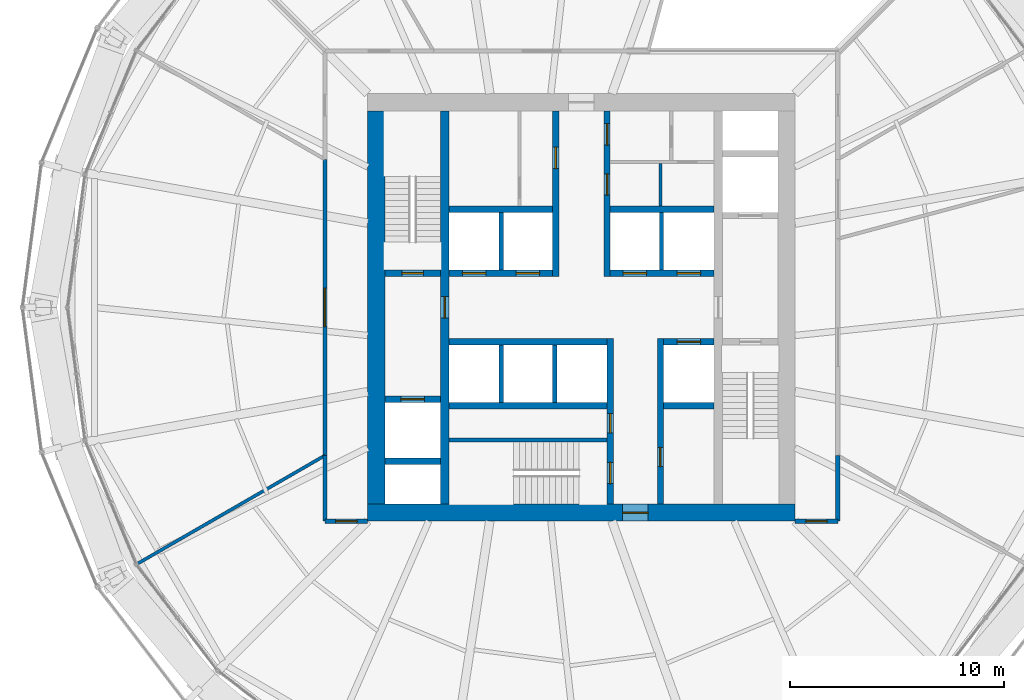
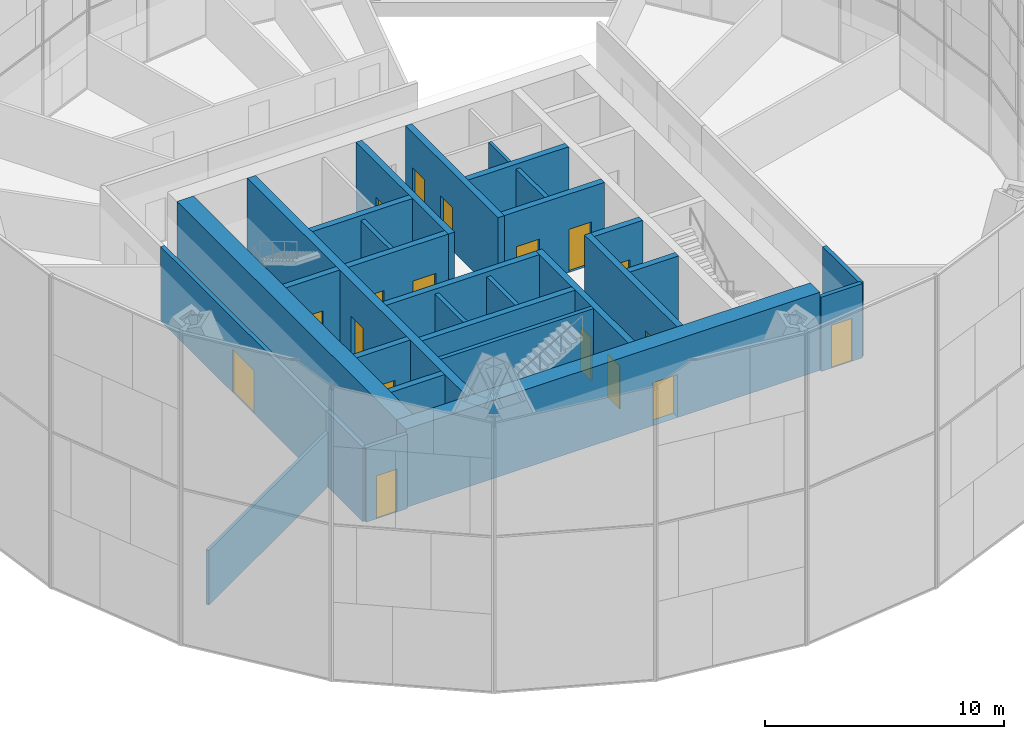
# One storey, part 23 of 26: 30 walls, 18 doors, 18 openings.
"""IFC4 building model written with IfcOpenShell, lengths in metres."""

from ifc_helpers import new_model, si_unit, direction, frame, frame_2d, origin, place, context, subcontext, project, spatial, rectangle, extrude, material, layer, layer_set, type_object, element, fill, save


model = new_model("IFC4")

# Units and contexts
model_context = context("Model", 3, precision=1e-05, world=origin(), true_north=direction((0.0, 1.0)))
body_context = subcontext(model_context, "Body", "Model", "MODEL_VIEW")
ifc_project = project(units=[si_unit("LENGTHUNIT", "METRE"), si_unit("AREAUNIT", "SQUARE_METRE"), si_unit("VOLUMEUNIT", "CUBIC_METRE"), si_unit("PLANEANGLEUNIT", "RADIAN"), si_unit("MASSUNIT", "GRAM", prefix="KILO")], contexts=[model_context])

# Site, building, storey
site_placement = place(None, origin())
site = spatial("IfcSite", under=ifc_project, at=site_placement, CompositionType="ELEMENT")
building_placement = place(site_placement, origin())
building = spatial("IfcBuilding", under=site, at=building_placement, Name="Golbaran Civic Tower", CompositionType="ELEMENT")
storey_placement = place(building_placement, frame((0.0, 0.0, 69.0)))
storey = spatial("IfcBuildingStorey", under=building, at=storey_placement, Name="L16", CompositionType="ELEMENT", Elevation=69.0)

# Wall
ifc_material_1 = material(Name="Concrete block", Category="concrete")
ifc_layer_1 = layer(ifc_material_1, 0.14990234375, Name="Concrete block")
ifc_layer_set_1 = layer_set([ifc_layer_1], Name="Concrete block")
wall_type_1 = type_object("IfcWallType", Name="BLOCKWORK PARTITION 150", PredefinedType="PARTITIONING", material=ifc_layer_set_1)
wall_1_placement = place(storey_placement, frame((3.699951171875, 4.75, 0.0), z_axis=(0.0, 0.0, 1.0), x_axis=(0.0, 1.0, 0.0)))
element("IfcWall", 1, at=wall_1_placement, inside=storey, type_object=wall_type_1, Name="Toilet block partition TN2 L16", PredefinedType="PARTITIONING", context=body_context, shape_type="SweptSolid", body=[
    extrude(rectangle(XDim=1.97509765625, YDim=0.14990234375, at=frame_2d((0.987548828125, 0.0))), origin(), (0.0, 0.0, 1.0), 3.75),
])

# Wall, opening, door
ifc_material_2 = material(Name="Concrete C50/60", Category="concrete")
ifc_layer_2 = layer(ifc_material_2, 0.39990234375, Name="Concrete C50/60")
ifc_layer_set_2 = layer_set([ifc_layer_2], Name="Concrete C50/60")
wall_type_2 = type_object("IfcWallType", Name="CORE WALL CONCRETE 400", PredefinedType="SOLIDWALL", material=ifc_layer_set_2)
wall_2_placement = place(storey_placement, frame((-6.39990234375, -9.199951171875, 0.0), z_axis=(0.0, 0.0, 1.0), x_axis=(0.0, 1.0, 0.0)))
wall_2 = element("IfcWall", 2, at=wall_2_placement, inside=storey, type_object=wall_type_2, Name="Core wall IW L16", PredefinedType="SOLIDWALL", context=body_context, shape_type="SweptSolid", body=[
    extrude(rectangle(XDim=18.39990234375, YDim=0.39990234375, at=frame_2d((9.199951171875, 0.0))), origin(), (0.0, 0.0, 1.0), 4.0),
])
opening_1_placement = place(wall_2_placement, frame((8.699951171875, 0.0, 0.0)))
opening_1 = element("IfcOpeningElement", 3, at=opening_1_placement, cuts=wall_2, Name="Opening L16.FL1", PredefinedType="OPENING", context=body_context, shape_type="SweptSolid", body=[
    extrude(rectangle(XDim=1.0, YDim=2.199951171875, at=frame_2d((0.5, 1.10009765625))), frame((0.0, 0.2099609375, 0.0), z_axis=(0.0, -1.0, 0.0), x_axis=(1.0, 0.0, 0.0)), (0.0, 0.0, 1.0), 0.419921875),
])
ifc_material_3 = material(Name="Timber door set in steel frame", Category="steel")
door_type_1 = type_object("IfcDoorType", Name="STAIR DOOR 1000x2200", OperationType="SINGLE_SWING_LEFT", PredefinedType="DOOR", material=ifc_material_3)
door_1_placement = place(opening_1_placement, origin())
door_1 = element("IfcDoor", 4, at=door_1_placement, inside=storey, type_object=door_type_1, Name="Fire-fighting lobby FL1 door", OperationType="SINGLE_SWING_LEFT", OverallHeight=2.199951171875, OverallWidth=1.0, PredefinedType="DOOR", context=body_context, shape_type="SweptSolid", body=[
    extrude(rectangle(XDim=1.0, YDim=2.199951171875, at=frame_2d((0.5, 1.10009765625))), frame((0.0, 0.02490234375, 0.0), z_axis=(0.0, -1.0, 0.0), x_axis=(1.0, 0.0, 0.0)), (0.0, 0.0, 1.0), 0.050048828125),
])
fill(opening_1, door_1)

ifc_layer_3 = layer(ifc_material_2, 0.800048828125, Name="Concrete C50/60")
ifc_layer_set_3 = layer_set([ifc_layer_3], Name="Concrete C50/60")
wall_type_3 = type_object("IfcWallType", Name="CORE WALL CONCRETE 800", PredefinedType="SOLIDWALL", material=ifc_layer_set_3)
wall_3_placement = place(storey_placement, frame((10.0, -9.60009765625, 0.0), z_axis=(0.0, 0.0, 1.0), x_axis=(-1.0, 0.0, 0.0)))
wall_3 = element("IfcWall", 5, at=wall_3_placement, inside=storey, type_object=wall_type_3, Name="Core wall CS L16", PredefinedType="SOLIDWALL", context=body_context, shape_type="SweptSolid", body=[
    extrude(rectangle(XDim=20.0, YDim=0.800048828125, at=frame_2d((10.0, 0.0))), origin(), (0.0, 0.0, 1.0), 4.0),
])
opening_2_placement = place(wall_3_placement, frame((6.875, 0.0, 0.0)))
opening_2 = element("IfcOpeningElement", 6, at=opening_2_placement, cuts=wall_3, Name="Opening L16.CS", PredefinedType="OPENING", context=body_context, shape_type="SweptSolid", body=[
    extrude(rectangle(XDim=1.199951171875, YDim=2.199951171875, at=frame_2d((0.60009765625, 1.10009765625))), frame((0.0, 0.409912109375, 0.0), z_axis=(0.0, -1.0, 0.0), x_axis=(1.0, 0.0, 0.0)), (0.0, 0.0, 1.0), 0.820068359375),
])
door_type_2 = type_object("IfcDoorType", Name="CORE DOOR 1200x2200", OperationType="DOUBLE_DOOR_SINGLE_SWING", PredefinedType="DOOR", material=ifc_material_3)
door_2_placement = place(opening_2_placement, origin())
door_2 = element("IfcDoor", 7, at=door_2_placement, inside=storey, type_object=door_type_2, Name="Core door south", OperationType="DOUBLE_DOOR_SINGLE_SWING", OverallHeight=2.199951171875, OverallWidth=1.199951171875, PredefinedType="DOOR", context=body_context, shape_type="SweptSolid", body=[
    extrude(rectangle(XDim=1.199951171875, YDim=2.199951171875, at=frame_2d((0.60009765625, 1.10009765625))), frame((0.0, 0.02490234375, 0.0), z_axis=(0.0, -1.0, 0.0), x_axis=(1.0, 0.0, 0.0)), (0.0, 0.0, 1.0), 0.050048828125),
])
fill(opening_2, door_2)

# Wall
wall_4_placement = place(storey_placement, frame((-9.60009765625, 9.199951171875, 0.0), z_axis=(0.0, 0.0, 1.0), x_axis=(0.0, -1.0, 0.0)))
element("IfcWall", 8, at=wall_4_placement, inside=storey, type_object=wall_type_3, Name="Core wall CW L16", PredefinedType="SOLIDWALL", context=body_context, shape_type="SweptSolid", body=[
    extrude(rectangle(XDim=18.39990234375, YDim=0.800048828125, at=frame_2d((9.199951171875, 0.0))), origin(), (0.0, 0.0, 1.0), 4.0),
])

# Wall, opening, door
ifc_material_4 = material(Name="Gypsum board on steel studs, fire-rated", Category="steel")
ifc_layer_4 = layer(ifc_material_4, 0.199951171875, Name="Gypsum board on steel studs, fire-rated")
ifc_layer_set_4 = layer_set([ifc_layer_4], Name="Gypsum board on steel studs, fire-rated")
wall_type_4 = type_object("IfcWallType", Name="CORRIDOR WALL 200", PredefinedType="PARTITIONING", material=ifc_layer_set_4)
wall_5_placement = place(storey_placement, frame((-12.0, 6.92822265625, 0.0), z_axis=(0.0, 0.0, 1.0), x_axis=(0.0, -1.0, 0.0)))
wall_5 = element("IfcWall", 9, at=wall_5_placement, inside=storey, type_object=wall_type_4, Name="Corridor wall L16", PredefinedType="PARTITIONING", context=body_context, shape_type="SweptSolid", body=[
    extrude(rectangle(XDim=13.8564453125, YDim=0.199951171875, at=frame_2d((6.92822265625, 0.0))), origin(), (0.0, 0.0, 1.0), 3.800048828125),
])
opening_3_placement = place(wall_5_placement, frame((6.0283203125, 0.0, 0.0)))
opening_3 = element("IfcOpeningElement", 10, at=opening_3_placement, cuts=wall_5, Name="Opening L16.12", PredefinedType="OPENING", context=body_context, shape_type="SweptSolid", body=[
    extrude(rectangle(XDim=1.800048828125, YDim=2.199951171875, at=frame_2d((0.89990234375, 1.10009765625))), frame((0.0, 0.10986328125, 0.0), z_axis=(0.0, -1.0, 0.0), x_axis=(1.0, 0.0, 0.0)), (0.0, 0.0, 1.0), 0.219970703125),
])
door_type_3 = type_object("IfcDoorType", Name="OFFICE DOUBLE DOOR 1800x2200", OperationType="DOUBLE_DOOR_SINGLE_SWING", PredefinedType="DOOR", material=ifc_material_3)
door_3_placement = place(opening_3_placement, origin())
door_3 = element("IfcDoor", 11, at=door_3_placement, inside=storey, type_object=door_type_3, Name="Open Office door L16", OperationType="DOUBLE_DOOR_SINGLE_SWING", OverallHeight=2.199951171875, OverallWidth=1.800048828125, PredefinedType="DOOR", context=body_context, shape_type="SweptSolid", body=[
    extrude(rectangle(XDim=1.800048828125, YDim=2.199951171875, at=frame_2d((0.89990234375, 1.10009765625))), frame((0.0, 0.02490234375, 0.0), z_axis=(0.0, -1.0, 0.0), x_axis=(1.0, 0.0, 0.0)), (0.0, 0.0, 1.0), 0.050048828125),
])
fill(opening_3, door_3)

# Walls
for number, where, z_axis, x_axis, name in (
    (12, (-12.0, -6.92822265625, 0.0), (0.0, 0.0, 1.0), (0.0, -1.0, 0.0), "Corridor wall L16"),
    (13, (12.0, -10.0, 0.0), (0.0, 0.0, 1.0), (0.0, 1.0, 0.0), "Corridor wall L16"),
):
    element("IfcWall", number, at=place(storey_placement, frame(where, z_axis=z_axis, x_axis=x_axis)), inside=storey, type_object=wall_type_4, Name=name, PredefinedType="PARTITIONING", context=body_context, shape_type="SweptSolid", body=[
        extrude(rectangle(XDim=3.07177734375, YDim=0.199951171875, at=frame_2d((1.535888671875, 0.0))), origin(), (0.0, 0.0, 1.0), 3.800048828125),
    ])

# Wall, opening, door
wall_6_placement = place(storey_placement, frame((10.0, -10.0, 0.0), z_axis=(0.0, 0.0, 1.0), x_axis=(1.0, 0.0, 0.0)))
wall_6 = element("IfcWall", 14, at=wall_6_placement, inside=storey, type_object=wall_type_4, Name="Corridor end wall L16", PredefinedType="PARTITIONING", context=body_context, shape_type="SweptSolid", body=[
    extrude(rectangle(XDim=2.0, YDim=0.199951171875, at=frame_2d((1.0, 0.0))), origin(), (0.0, 0.0, 1.0), 3.800048828125),
])
opening_4_placement = place(wall_6_placement, frame((0.5, 0.0, 0.0)))
opening_4 = element("IfcOpeningElement", 15, at=opening_4_placement, cuts=wall_6, Name="Opening L16.14", PredefinedType="OPENING", context=body_context, shape_type="SweptSolid", body=[
    extrude(rectangle(XDim=1.0, YDim=2.199951171875, at=frame_2d((0.5, 1.10009765625))), frame((0.0, 0.10986328125, 0.0), z_axis=(0.0, -1.0, 0.0), x_axis=(1.0, 0.0, 0.0)), (0.0, 0.0, 1.0), 0.219970703125),
])
door_type_4 = type_object("IfcDoorType", Name="OFFICE DOOR 1000x2200", OperationType="SINGLE_SWING_LEFT", PredefinedType="DOOR", material=ifc_material_3)
door_4_placement = place(opening_4_placement, origin())
door_4 = element("IfcDoor", 16, at=door_4_placement, inside=storey, type_object=door_type_4, Name="Open Office door L16", OperationType="SINGLE_SWING_LEFT", OverallHeight=2.199951171875, OverallWidth=1.0, PredefinedType="DOOR", context=body_context, shape_type="SweptSolid", body=[
    extrude(rectangle(XDim=1.0, YDim=2.199951171875, at=frame_2d((0.5, 1.10009765625))), frame((0.0, 0.02490234375, 0.0), z_axis=(0.0, -1.0, 0.0), x_axis=(1.0, 0.0, 0.0)), (0.0, 0.0, 1.0), 0.050048828125),
])
fill(opening_4, door_4)

wall_7_placement = place(storey_placement, frame((-10.0, -10.0, 0.0), z_axis=(0.0, 0.0, 1.0), x_axis=(-1.0, 0.0, 0.0)))
wall_7 = element("IfcWall", 17, at=wall_7_placement, inside=storey, type_object=wall_type_4, Name="Corridor end wall L16", PredefinedType="PARTITIONING", context=body_context, shape_type="SweptSolid", body=[
    extrude(rectangle(XDim=2.0, YDim=0.199951171875, at=frame_2d((1.0, 0.0))), origin(), (0.0, 0.0, 1.0), 3.800048828125),
])
opening_5_placement = place(wall_7_placement, frame((0.5, 0.0, 0.0)))
opening_5 = element("IfcOpeningElement", 18, at=opening_5_placement, cuts=wall_7, Name="Opening L16.15", PredefinedType="OPENING", context=body_context, shape_type="SweptSolid", body=[
    extrude(rectangle(XDim=1.0, YDim=2.199951171875, at=frame_2d((0.5, 1.10009765625))), frame((0.0, 0.10986328125, 0.0), z_axis=(0.0, -1.0, 0.0), x_axis=(1.0, 0.0, 0.0)), (0.0, 0.0, 1.0), 0.219970703125),
])
door_5_placement = place(opening_5_placement, origin())
door_5 = element("IfcDoor", 19, at=door_5_placement, inside=storey, type_object=door_type_4, Name="Open Office door L16", OperationType="SINGLE_SWING_RIGHT", OverallHeight=2.199951171875, OverallWidth=1.0, PredefinedType="DOOR", context=body_context, shape_type="SweptSolid", body=[
    extrude(rectangle(XDim=1.0, YDim=2.199951171875, at=frame_2d((0.5, 1.10009765625))), frame((0.0, 0.02490234375, 0.0), z_axis=(0.0, -1.0, 0.0), x_axis=(1.0, 0.0, 0.0)), (0.0, 0.0, 1.0), 0.050048828125),
])
fill(opening_5, door_5)

# Walls
ifc_layer_5 = layer(ifc_material_1, 0.199951171875, Name="Concrete block")
ifc_layer_set_5 = layer_set([ifc_layer_5], Name="Concrete block")
wall_type_5 = type_object("IfcWallType", Name="LIFT SEPARATOR WALL 200", PredefinedType="SOLIDWALL", material=ifc_layer_set_5)
for number, where, z_axis, x_axis, name in (
    (20, (-3.75, 1.75, 0.0), (0.0, 0.0, 1.0), (0.0, 1.0, 0.0), "Core partition SNW L16"),
    (21, (3.75, 1.75, 0.0), (0.0, 0.0, 1.0), (0.0, 1.0, 0.0), "Core partition SNE L16"),
    (22, (-3.75, -1.75, 0.0), (0.0, 0.0, 1.0), (0.0, -1.0, 0.0), "Core partition SSW L16"),
    (23, (-1.25, -1.75, 0.0), (0.0, 0.0, 1.0), (0.0, -1.0, 0.0), "Core partition SSM L16"),
):
    element("IfcWall", number, at=place(storey_placement, frame(where, z_axis=z_axis, x_axis=x_axis)), inside=storey, type_object=wall_type_5, Name=name, PredefinedType="SOLIDWALL", context=body_context, shape_type="SweptSolid", body=[
        extrude(rectangle(XDim=2.699951171875, YDim=0.199951171875, at=frame_2d((1.35009765625, 0.0))), origin(), (0.0, 0.0, 1.0), 3.75),
    ])
ifc_material_5 = material(Name="Gypsum board on steel studs", Category="steel")
ifc_layer_6 = layer(ifc_material_5, 0.14990234375, Name="Gypsum board on steel studs")
ifc_layer_set_6 = layer_set([ifc_layer_6], Name="Gypsum board on steel studs")
wall_type_6 = type_object("IfcWallType", Name="OFFICE PARTITION 150", PredefinedType="PARTITIONING", material=ifc_layer_set_6)
wall_8_placement = place(storey_placement, frame((-12.0, -6.92822265625, 0.0), z_axis=(0.0, 0.0, 1.0), x_axis=(-0.866023860286, -0.500002673408, 0.0)))
element("IfcWall", 24, at=wall_8_placement, inside=storey, type_object=wall_type_6, Name="Partition 210 L16", PredefinedType="PARTITIONING", context=body_context, shape_type="SweptSolid", body=[
    extrude(rectangle(XDim=10.10595703125, YDim=0.14990234375, at=frame_2d((5.052978515625, 0.0))), origin(), (0.0, 0.0, 1.0), 2.7900390625),
])
ifc_layer_7 = layer(ifc_material_2, 0.199951171875, Name="Concrete C50/60")
ifc_layer_set_7 = layer_set([ifc_layer_7], Name="Concrete C50/60")
wall_type_7 = type_object("IfcWallType", Name="SHAFT WALL CONCRETE 200", PredefinedType="SOLIDWALL", material=ifc_layer_set_7)
wall_9_placement = place(storey_placement, frame((-6.199951171875, -6.199951171875, 0.0), z_axis=(0.0, 0.0, 1.0), x_axis=(1.0, 0.0, 0.0)))
element("IfcWall", 25, at=wall_9_placement, inside=storey, type_object=wall_type_7, Name="Core wall S3N L16", PredefinedType="SOLIDWALL", context=body_context, shape_type="SweptSolid", body=[
    extrude(rectangle(XDim=7.39990234375, YDim=0.199951171875, at=frame_2d((3.699951171875, 0.0))), origin(), (0.0, 0.0, 1.0), 4.0),
])

# Wall, openings, doors
ifc_layer_8 = layer(ifc_material_2, 0.300048828125, Name="Concrete C50/60")
ifc_layer_set_8 = layer_set([ifc_layer_8], Name="Concrete C50/60")
wall_type_8 = type_object("IfcWallType", Name="SHAFT WALL CONCRETE 300", PredefinedType="SOLIDWALL", material=ifc_layer_set_8)
wall_10_placement = place(storey_placement, frame((-6.199951171875, 1.60009765625, 0.0), z_axis=(0.0, 0.0, 1.0), x_axis=(1.0, 0.0, 0.0)))
wall_10 = element("IfcWall", 26, at=wall_10_placement, inside=storey, type_object=wall_type_8, Name="Core wall FNW L16", PredefinedType="SOLIDWALL", context=body_context, shape_type="SweptSolid", body=[
    extrude(rectangle(XDim=4.849853515625, YDim=0.300048828125, at=frame_2d((2.4248046875, 0.0))), origin(), (0.0, 0.0, 1.0), 4.0),
])
opening_6_placement = place(wall_10_placement, frame((0.625, 0.0, 0.0)))
opening_6 = element("IfcOpeningElement", 27, at=opening_6_placement, cuts=wall_10, Name="Opening L16.LD-Z1L", PredefinedType="OPENING", context=body_context, shape_type="SweptSolid", body=[
    extrude(rectangle(XDim=1.10009765625, YDim=2.199951171875, at=frame_2d((0.550048828125, 1.10009765625))), frame((0.0, 0.159912109375, 0.0), z_axis=(0.0, -1.0, 0.0), x_axis=(1.0, 0.0, 0.0)), (0.0, 0.0, 1.0), 0.320068359375),
])
opening_7_placement = place(wall_10_placement, frame((3.14990234375, 0.0, 0.0)))
opening_7 = element("IfcOpeningElement", 28, at=opening_7_placement, cuts=wall_10, Name="Opening L16.LD-Z2L", PredefinedType="OPENING", context=body_context, shape_type="SweptSolid", body=[
    extrude(rectangle(XDim=1.10009765625, YDim=2.199951171875, at=frame_2d((0.550048828125, 1.10009765625))), frame((0.0, 0.159912109375, 0.0), z_axis=(0.0, -1.0, 0.0), x_axis=(1.0, 0.0, 0.0)), (0.0, 0.0, 1.0), 0.320068359375),
])
ifc_material_6 = material(Name="Stainless steel", Category="steel")
door_type_5 = type_object("IfcDoorType", Name="LIFT LANDING DOOR 1100x2200", OperationType="SLIDING_TO_LEFT", PredefinedType="DOOR", material=ifc_material_6)
door_6_placement = place(opening_6_placement, origin())
door_6 = element("IfcDoor", 29, at=door_6_placement, inside=storey, type_object=door_type_5, Name="Lift landing door Z1L", OperationType="SLIDING_TO_LEFT", OverallHeight=2.199951171875, OverallWidth=1.10009765625, PredefinedType="DOOR", context=body_context, shape_type="SweptSolid", body=[
    extrude(rectangle(XDim=1.10009765625, YDim=2.199951171875, at=frame_2d((0.550048828125, 1.10009765625))), frame((0.0, 0.02490234375, 0.0), z_axis=(0.0, -1.0, 0.0), x_axis=(1.0, 0.0, 0.0)), (0.0, 0.0, 1.0), 0.050048828125),
])
fill(opening_6, door_6)
door_7_placement = place(opening_7_placement, origin())
door_7 = element("IfcDoor", 30, at=door_7_placement, inside=storey, type_object=door_type_5, Name="Lift landing door Z2L", OperationType="SLIDING_TO_LEFT", OverallHeight=2.199951171875, OverallWidth=1.10009765625, PredefinedType="DOOR", context=body_context, shape_type="SweptSolid", body=[
    extrude(rectangle(XDim=1.10009765625, YDim=2.199951171875, at=frame_2d((0.550048828125, 1.10009765625))), frame((0.0, 0.02490234375, 0.0), z_axis=(0.0, -1.0, 0.0), x_axis=(1.0, 0.0, 0.0)), (0.0, 0.0, 1.0), 0.050048828125),
])
fill(opening_7, door_7)

wall_11_placement = place(storey_placement, frame((1.35009765625, 1.60009765625, 0.0), z_axis=(0.0, 0.0, 1.0), x_axis=(1.0, 0.0, 0.0)))
wall_11 = element("IfcWall", 31, at=wall_11_placement, inside=storey, type_object=wall_type_8, Name="Core wall FNE L16", PredefinedType="SOLIDWALL", context=body_context, shape_type="SweptSolid", body=[
    extrude(rectangle(XDim=4.849853515625, YDim=0.300048828125, at=frame_2d((2.4248046875, 0.0))), origin(), (0.0, 0.0, 1.0), 4.0),
])
opening_8_placement = place(wall_11_placement, frame((0.60009765625, 0.0, 0.0)))
opening_8 = element("IfcOpeningElement", 32, at=opening_8_placement, cuts=wall_11, Name="Opening L16.LD-Z3L", PredefinedType="OPENING", context=body_context, shape_type="SweptSolid", body=[
    extrude(rectangle(XDim=1.10009765625, YDim=2.199951171875, at=frame_2d((0.550048828125, 1.10009765625))), frame((0.0, 0.159912109375, 0.0), z_axis=(0.0, -1.0, 0.0), x_axis=(1.0, 0.0, 0.0)), (0.0, 0.0, 1.0), 0.320068359375),
])
opening_9_placement = place(wall_11_placement, frame((3.125, 0.0, 0.0)))
opening_9 = element("IfcOpeningElement", 33, at=opening_9_placement, cuts=wall_11, Name="Opening L16.LD-Z4L", PredefinedType="OPENING", context=body_context, shape_type="SweptSolid", body=[
    extrude(rectangle(XDim=1.10009765625, YDim=2.199951171875, at=frame_2d((0.550048828125, 1.10009765625))), frame((0.0, 0.159912109375, 0.0), z_axis=(0.0, -1.0, 0.0), x_axis=(1.0, 0.0, 0.0)), (0.0, 0.0, 1.0), 0.320068359375),
])
door_8_placement = place(opening_8_placement, origin())
door_8 = element("IfcDoor", 34, at=door_8_placement, inside=storey, type_object=door_type_5, Name="Lift landing door Z3L", OperationType="SLIDING_TO_LEFT", OverallHeight=2.199951171875, OverallWidth=1.10009765625, PredefinedType="DOOR", context=body_context, shape_type="SweptSolid", body=[
    extrude(rectangle(XDim=1.10009765625, YDim=2.199951171875, at=frame_2d((0.550048828125, 1.10009765625))), frame((0.0, 0.02490234375, 0.0), z_axis=(0.0, -1.0, 0.0), x_axis=(1.0, 0.0, 0.0)), (0.0, 0.0, 1.0), 0.050048828125),
])
fill(opening_8, door_8)
door_9_placement = place(opening_9_placement, origin())
door_9 = element("IfcDoor", 35, at=door_9_placement, inside=storey, type_object=door_type_5, Name="Lift landing door Z4L", OperationType="SLIDING_TO_LEFT", OverallHeight=2.199951171875, OverallWidth=1.10009765625, PredefinedType="DOOR", context=body_context, shape_type="SweptSolid", body=[
    extrude(rectangle(XDim=1.10009765625, YDim=2.199951171875, at=frame_2d((0.550048828125, 1.10009765625))), frame((0.0, 0.02490234375, 0.0), z_axis=(0.0, -1.0, 0.0), x_axis=(1.0, 0.0, 0.0)), (0.0, 0.0, 1.0), 0.050048828125),
])
fill(opening_9, door_9)

# Walls
for number, where, z_axis, x_axis, name in (
    (36, (-6.199951171875, 4.60009765625, 0.0), (0.0, 0.0, 1.0), (1.0, 0.0, 0.0), "Core wall BNW L16"),
    (37, (1.35009765625, 4.60009765625, 0.0), (0.0, 0.0, 1.0), (1.0, 0.0, 0.0), "Core wall BNE L16"),
):
    element("IfcWall", number, at=place(storey_placement, frame(where, z_axis=z_axis, x_axis=x_axis)), inside=storey, type_object=wall_type_8, Name=name, PredefinedType="SOLIDWALL", context=body_context, shape_type="SweptSolid", body=[
        extrude(rectangle(XDim=4.849853515625, YDim=0.300048828125, at=frame_2d((2.4248046875, 0.0))), origin(), (0.0, 0.0, 1.0), 4.0),
    ])

# Wall, opening, door
wall_12_placement = place(storey_placement, frame((-1.199951171875, 1.449951171875, 0.0), z_axis=(0.0, 0.0, 1.0), x_axis=(0.0, 1.0, 0.0)))
wall_12 = element("IfcWall", 38, at=wall_12_placement, inside=storey, type_object=wall_type_8, Name="Core wall PNW L16", PredefinedType="SOLIDWALL", context=body_context, shape_type="SweptSolid", body=[
    extrude(rectangle(XDim=7.75, YDim=0.300048828125, at=frame_2d((3.875, 0.0))), origin(), (0.0, 0.0, 1.0), 4.0),
])
opening_10_placement = place(wall_12_placement, frame((5.050048828125, 0.0, 0.0)))
opening_10 = element("IfcOpeningElement", 39, at=opening_10_placement, cuts=wall_12, Name="Opening L16.WCM", PredefinedType="OPENING", context=body_context, shape_type="SweptSolid", body=[
    extrude(rectangle(XDim=1.0, YDim=2.199951171875, at=frame_2d((0.5, 1.10009765625))), frame((0.0, 0.159912109375, 0.0), z_axis=(0.0, -1.0, 0.0), x_axis=(1.0, 0.0, 0.0)), (0.0, 0.0, 1.0), 0.320068359375),
])
door_type_6 = type_object("IfcDoorType", Name="TOILET DOOR 1000x2200", OperationType="SINGLE_SWING_LEFT", PredefinedType="DOOR", material=ifc_material_3)
door_10_placement = place(opening_10_placement, origin())
door_10 = element("IfcDoor", 40, at=door_10_placement, inside=storey, type_object=door_type_6, Name="North-west toilet block door", OperationType="SINGLE_SWING_RIGHT", OverallHeight=2.199951171875, OverallWidth=1.0, PredefinedType="DOOR", context=body_context, shape_type="SweptSolid", body=[
    extrude(rectangle(XDim=1.0, YDim=2.199951171875, at=frame_2d((0.5, 1.10009765625))), frame((0.0, 0.02490234375, 0.0), z_axis=(0.0, -1.0, 0.0), x_axis=(1.0, 0.0, 0.0)), (0.0, 0.0, 1.0), 0.050048828125),
])
fill(opening_10, door_10)

# Wall, openings, doors
wall_13_placement = place(storey_placement, frame((1.199951171875, 1.449951171875, 0.0), z_axis=(0.0, 0.0, 1.0), x_axis=(0.0, 1.0, 0.0)))
wall_13 = element("IfcWall", 41, at=wall_13_placement, inside=storey, type_object=wall_type_8, Name="Core wall PNE L16", PredefinedType="SOLIDWALL", context=body_context, shape_type="SweptSolid", body=[
    extrude(rectangle(XDim=7.75, YDim=0.300048828125, at=frame_2d((3.875, 0.0))), origin(), (0.0, 0.0, 1.0), 4.0),
])
opening_11_placement = place(wall_13_placement, frame((3.800048828125, 0.0, 0.0)))
opening_11 = element("IfcOpeningElement", 42, at=opening_11_placement, cuts=wall_13, Name="Opening L16.WCA", PredefinedType="OPENING", context=body_context, shape_type="SweptSolid", body=[
    extrude(rectangle(XDim=1.0, YDim=2.199951171875, at=frame_2d((0.5, 1.10009765625))), frame((0.0, 0.159912109375, 0.0), z_axis=(0.0, -1.0, 0.0), x_axis=(1.0, 0.0, 0.0)), (0.0, 0.0, 1.0), 0.320068359375),
])
opening_12_placement = place(wall_13_placement, frame((6.14990234375, 0.0, 0.0)))
opening_12 = element("IfcOpeningElement", 43, at=opening_12_placement, cuts=wall_13, Name="Opening L16.WCF", PredefinedType="OPENING", context=body_context, shape_type="SweptSolid", body=[
    extrude(rectangle(XDim=1.0, YDim=2.199951171875, at=frame_2d((0.5, 1.10009765625))), frame((0.0, 0.159912109375, 0.0), z_axis=(0.0, -1.0, 0.0), x_axis=(1.0, 0.0, 0.0)), (0.0, 0.0, 1.0), 0.320068359375),
])
door_11_placement = place(opening_11_placement, origin())
door_11 = element("IfcDoor", 44, at=door_11_placement, inside=storey, type_object=door_type_6, Name="Accessible WC door", OperationType="SINGLE_SWING_RIGHT", OverallHeight=2.199951171875, OverallWidth=1.0, PredefinedType="DOOR", context=body_context, shape_type="SweptSolid", body=[
    extrude(rectangle(XDim=1.0, YDim=2.199951171875, at=frame_2d((0.5, 1.10009765625))), frame((0.0, 0.02490234375, 0.0), z_axis=(0.0, -1.0, 0.0), x_axis=(1.0, 0.0, 0.0)), (0.0, 0.0, 1.0), 0.050048828125),
])
fill(opening_11, door_11)
door_12_placement = place(opening_12_placement, origin())
door_12 = element("IfcDoor", 45, at=door_12_placement, inside=storey, type_object=door_type_6, Name="North-east toilet block door", OperationType="SINGLE_SWING_RIGHT", OverallHeight=2.199951171875, OverallWidth=1.0, PredefinedType="DOOR", context=body_context, shape_type="SweptSolid", body=[
    extrude(rectangle(XDim=1.0, YDim=2.199951171875, at=frame_2d((0.5, 1.10009765625))), frame((0.0, 0.02490234375, 0.0), z_axis=(0.0, -1.0, 0.0), x_axis=(1.0, 0.0, 0.0)), (0.0, 0.0, 1.0), 0.050048828125),
])
fill(opening_12, door_12)

# Wall
wall_14_placement = place(storey_placement, frame((-6.199951171875, -1.60009765625, 0.0), z_axis=(0.0, 0.0, 1.0), x_axis=(1.0, 0.0, 0.0)))
element("IfcWall", 46, at=wall_14_placement, inside=storey, type_object=wall_type_8, Name="Core wall FSW L16", PredefinedType="SOLIDWALL", context=body_context, shape_type="SweptSolid", body=[
    extrude(rectangle(XDim=7.39990234375, YDim=0.300048828125, at=frame_2d((3.699951171875, 0.0))), origin(), (0.0, 0.0, 1.0), 4.0),
])

# Wall, opening, door
wall_15_placement = place(storey_placement, frame((3.85009765625, -1.60009765625, 0.0), z_axis=(0.0, 0.0, 1.0), x_axis=(1.0, 0.0, 0.0)))
wall_15 = element("IfcWall", 47, at=wall_15_placement, inside=storey, type_object=wall_type_8, Name="Core wall FSE L16", PredefinedType="SOLIDWALL", context=body_context, shape_type="SweptSolid", body=[
    extrude(rectangle(XDim=2.349853515625, YDim=0.300048828125, at=frame_2d((1.1748046875, 0.0))), origin(), (0.0, 0.0, 1.0), 4.0),
])
opening_13_placement = place(wall_15_placement, frame((0.625, 0.0, 0.0)))
opening_13 = element("IfcOpeningElement", 48, at=opening_13_placement, cuts=wall_15, Name="Opening L16.LD-V1", PredefinedType="OPENING", context=body_context, shape_type="SweptSolid", body=[
    extrude(rectangle(XDim=1.10009765625, YDim=2.199951171875, at=frame_2d((0.550048828125, 1.10009765625))), frame((0.0, 0.159912109375, 0.0), z_axis=(0.0, -1.0, 0.0), x_axis=(1.0, 0.0, 0.0)), (0.0, 0.0, 1.0), 0.320068359375),
])
door_13_placement = place(opening_13_placement, origin())
door_13 = element("IfcDoor", 49, at=door_13_placement, inside=storey, type_object=door_type_5, Name="Lift landing door V1", OperationType="SLIDING_TO_LEFT", OverallHeight=2.199951171875, OverallWidth=1.10009765625, PredefinedType="DOOR", context=body_context, shape_type="SweptSolid", body=[
    extrude(rectangle(XDim=1.10009765625, YDim=2.199951171875, at=frame_2d((0.550048828125, 1.10009765625))), frame((0.0, 0.02490234375, 0.0), z_axis=(0.0, -1.0, 0.0), x_axis=(1.0, 0.0, 0.0)), (0.0, 0.0, 1.0), 0.050048828125),
])
fill(opening_13, door_13)

# Walls
wall_16_placement = place(storey_placement, frame((-6.199951171875, -4.60009765625, 0.0), z_axis=(0.0, 0.0, 1.0), x_axis=(1.0, 0.0, 0.0)))
element("IfcWall", 50, at=wall_16_placement, inside=storey, type_object=wall_type_8, Name="Core wall BSW L16", PredefinedType="SOLIDWALL", context=body_context, shape_type="SweptSolid", body=[
    extrude(rectangle(XDim=7.39990234375, YDim=0.300048828125, at=frame_2d((3.699951171875, 0.0))), origin(), (0.0, 0.0, 1.0), 4.0),
])
wall_17_placement = place(storey_placement, frame((3.85009765625, -4.60009765625, 0.0), z_axis=(0.0, 0.0, 1.0), x_axis=(1.0, 0.0, 0.0)))
element("IfcWall", 51, at=wall_17_placement, inside=storey, type_object=wall_type_8, Name="Core wall BSE L16", PredefinedType="SOLIDWALL", context=body_context, shape_type="SweptSolid", body=[
    extrude(rectangle(XDim=2.349853515625, YDim=0.300048828125, at=frame_2d((1.1748046875, 0.0))), origin(), (0.0, 0.0, 1.0), 4.0),
])

# Wall, openings, doors
wall_18_placement = place(storey_placement, frame((1.35009765625, -1.449951171875, 0.0), z_axis=(0.0, 0.0, 1.0), x_axis=(0.0, -1.0, 0.0)))
wall_18 = element("IfcWall", 52, at=wall_18_placement, inside=storey, type_object=wall_type_8, Name="Core wall PSW L16", PredefinedType="SOLIDWALL", context=body_context, shape_type="SweptSolid", body=[
    extrude(rectangle(XDim=7.75, YDim=0.300048828125, at=frame_2d((3.875, 0.0))), origin(), (0.0, 0.0, 1.0), 4.0),
])
opening_14_placement = place(wall_18_placement, frame((5.800048828125, 0.0, 0.0)))
opening_14 = element("IfcOpeningElement", 53, at=opening_14_placement, cuts=wall_18, Name="Opening L16.S3", PredefinedType="OPENING", context=body_context, shape_type="SweptSolid", body=[
    extrude(rectangle(XDim=1.0, YDim=2.199951171875, at=frame_2d((0.5, 1.10009765625))), frame((0.0, 0.159912109375, 0.0), z_axis=(0.0, -1.0, 0.0), x_axis=(1.0, 0.0, 0.0)), (0.0, 0.0, 1.0), 0.320068359375),
])
opening_15_placement = place(wall_18_placement, frame((3.52490234375, 0.0, 0.0)))
opening_15 = element("IfcOpeningElement", 54, at=opening_15_placement, cuts=wall_18, Name="Opening L16.RE", PredefinedType="OPENING", context=body_context, shape_type="SweptSolid", body=[
    extrude(rectangle(XDim=0.89990234375, YDim=2.199951171875, at=frame_2d((0.449951171875, 1.10009765625))), frame((0.0, 0.159912109375, 0.0), z_axis=(0.0, -1.0, 0.0), x_axis=(1.0, 0.0, 0.0)), (0.0, 0.0, 1.0), 0.320068359375),
])
door_type_7 = type_object("IfcDoorType", Name="RISER DOOR 900x2200", OperationType="SINGLE_SWING_LEFT", PredefinedType="DOOR", material=ifc_material_3)
door_14_placement = place(opening_15_placement, origin())
door_14 = element("IfcDoor", 55, at=door_14_placement, inside=storey, type_object=door_type_7, Name="Electrical riser door", OperationType="SINGLE_SWING_RIGHT", OverallHeight=2.199951171875, OverallWidth=0.89990234375, PredefinedType="DOOR", context=body_context, shape_type="SweptSolid", body=[
    extrude(rectangle(XDim=0.89990234375, YDim=2.199951171875, at=frame_2d((0.449951171875, 1.10009765625))), frame((0.0, 0.02490234375, 0.0), z_axis=(0.0, -1.0, 0.0), x_axis=(1.0, 0.0, 0.0)), (0.0, 0.0, 1.0), 0.050048828125),
])
fill(opening_15, door_14)
door_15_placement = place(opening_14_placement, origin())
door_15 = element("IfcDoor", 56, at=door_15_placement, inside=storey, type_object=door_type_1, Name="Stair S3 door", OperationType="SINGLE_SWING_RIGHT", OverallHeight=2.199951171875, OverallWidth=1.0, PredefinedType="DOOR", context=body_context, shape_type="SweptSolid", body=[
    extrude(rectangle(XDim=1.0, YDim=2.199951171875, at=frame_2d((0.5, 1.10009765625))), frame((0.0, 0.02490234375, 0.0), z_axis=(0.0, -1.0, 0.0), x_axis=(1.0, 0.0, 0.0)), (0.0, 0.0, 1.0), 0.050048828125),
])
fill(opening_14, door_15)

# Wall, opening, door
wall_19_placement = place(storey_placement, frame((3.699951171875, -1.449951171875, 0.0), z_axis=(0.0, 0.0, 1.0), x_axis=(0.0, -1.0, 0.0)))
wall_19 = element("IfcWall", 57, at=wall_19_placement, inside=storey, type_object=wall_type_8, Name="Core wall PSE L16", PredefinedType="SOLIDWALL", context=body_context, shape_type="SweptSolid", body=[
    extrude(rectangle(XDim=7.75, YDim=0.300048828125, at=frame_2d((3.875, 0.0))), origin(), (0.0, 0.0, 1.0), 4.0),
])
opening_16_placement = place(wall_19_placement, frame((5.10009765625, 0.0, 0.0)))
opening_16 = element("IfcOpeningElement", 58, at=opening_16_placement, cuts=wall_19, Name="Opening L16.RM", PredefinedType="OPENING", context=body_context, shape_type="SweptSolid", body=[
    extrude(rectangle(XDim=0.89990234375, YDim=2.199951171875, at=frame_2d((0.449951171875, 1.10009765625))), frame((0.0, 0.159912109375, 0.0), z_axis=(0.0, -1.0, 0.0), x_axis=(1.0, 0.0, 0.0)), (0.0, 0.0, 1.0), 0.320068359375),
])
door_16_placement = place(opening_16_placement, origin())
door_16 = element("IfcDoor", 59, at=door_16_placement, inside=storey, type_object=door_type_7, Name="Mechanical riser door", OperationType="SINGLE_SWING_RIGHT", OverallHeight=2.199951171875, OverallWidth=0.89990234375, PredefinedType="DOOR", context=body_context, shape_type="SweptSolid", body=[
    extrude(rectangle(XDim=0.89990234375, YDim=2.199951171875, at=frame_2d((0.449951171875, 1.10009765625))), frame((0.0, 0.02490234375, 0.0), z_axis=(0.0, -1.0, 0.0), x_axis=(1.0, 0.0, 0.0)), (0.0, 0.0, 1.0), 0.050048828125),
])
fill(opening_16, door_16)

wall_20_placement = place(storey_placement, frame((-9.199951171875, 1.60009765625, 0.0), z_axis=(0.0, 0.0, 1.0), x_axis=(1.0, 0.0, 0.0)))
wall_20 = element("IfcWall", 60, at=wall_20_placement, inside=storey, type_object=wall_type_8, Name="Core wall XW1 L16", PredefinedType="SOLIDWALL", context=body_context, shape_type="SweptSolid", body=[
    extrude(rectangle(XDim=2.599853515625, YDim=0.300048828125, at=frame_2d((1.2998046875, 0.0))), origin(), (0.0, 0.0, 1.0), 4.0),
])
opening_17_placement = place(wall_20_placement, frame((0.800048828125, 0.0, 0.0)))
opening_17 = element("IfcOpeningElement", 61, at=opening_17_placement, cuts=wall_20, Name="Opening L16.S1", PredefinedType="OPENING", context=body_context, shape_type="SweptSolid", body=[
    extrude(rectangle(XDim=1.0, YDim=2.199951171875, at=frame_2d((0.5, 1.10009765625))), frame((0.0, 0.159912109375, 0.0), z_axis=(0.0, -1.0, 0.0), x_axis=(1.0, 0.0, 0.0)), (0.0, 0.0, 1.0), 0.320068359375),
])
door_17_placement = place(opening_17_placement, origin())
door_17 = element("IfcDoor", 62, at=door_17_placement, inside=storey, type_object=door_type_1, Name="Stair S1 door", OperationType="SINGLE_SWING_LEFT", OverallHeight=2.199951171875, OverallWidth=1.0, PredefinedType="DOOR", context=body_context, shape_type="SweptSolid", body=[
    extrude(rectangle(XDim=1.0, YDim=2.199951171875, at=frame_2d((0.5, 1.10009765625))), frame((0.0, 0.02490234375, 0.0), z_axis=(0.0, -1.0, 0.0), x_axis=(1.0, 0.0, 0.0)), (0.0, 0.0, 1.0), 0.050048828125),
])
fill(opening_17, door_17)

wall_21_placement = place(storey_placement, frame((-9.199951171875, -4.300048828125, 0.0), z_axis=(0.0, 0.0, 1.0), x_axis=(1.0, 0.0, 0.0)))
wall_21 = element("IfcWall", 63, at=wall_21_placement, inside=storey, type_object=wall_type_8, Name="Core wall XW2 L16", PredefinedType="SOLIDWALL", context=body_context, shape_type="SweptSolid", body=[
    extrude(rectangle(XDim=2.599853515625, YDim=0.300048828125, at=frame_2d((1.2998046875, 0.0))), origin(), (0.0, 0.0, 1.0), 4.0),
])
opening_18_placement = place(wall_21_placement, frame((0.75, 0.0, 0.0)))
opening_18 = element("IfcOpeningElement", 64, at=opening_18_placement, cuts=wall_21, Name="Opening L16.LD-F1", PredefinedType="OPENING", context=body_context, shape_type="SweptSolid", body=[
    extrude(rectangle(XDim=1.10009765625, YDim=2.199951171875, at=frame_2d((0.550048828125, 1.10009765625))), frame((0.0, 0.159912109375, 0.0), z_axis=(0.0, -1.0, 0.0), x_axis=(1.0, 0.0, 0.0)), (0.0, 0.0, 1.0), 0.320068359375),
])
door_18_placement = place(opening_18_placement, origin())
door_18 = element("IfcDoor", 65, at=door_18_placement, inside=storey, type_object=door_type_5, Name="Lift landing door F1", OperationType="SLIDING_TO_LEFT", OverallHeight=2.199951171875, OverallWidth=1.10009765625, PredefinedType="DOOR", context=body_context, shape_type="SweptSolid", body=[
    extrude(rectangle(XDim=1.10009765625, YDim=2.199951171875, at=frame_2d((0.550048828125, 1.10009765625))), frame((0.0, 0.02490234375, 0.0), z_axis=(0.0, -1.0, 0.0), x_axis=(1.0, 0.0, 0.0)), (0.0, 0.0, 1.0), 0.050048828125),
])
fill(opening_18, door_18)

# Wall
wall_22_placement = place(storey_placement, frame((-9.199951171875, -7.199951171875, 0.0), z_axis=(0.0, 0.0, 1.0), x_axis=(1.0, 0.0, 0.0)))
element("IfcWall", 66, at=wall_22_placement, inside=storey, type_object=wall_type_8, Name="Core wall XW3 L16", PredefinedType="SOLIDWALL", context=body_context, shape_type="SweptSolid", body=[
    extrude(rectangle(XDim=2.599853515625, YDim=0.300048828125, at=frame_2d((1.2998046875, 0.0))), origin(), (0.0, 0.0, 1.0), 4.0),
])

save(model, "model.ifc")
